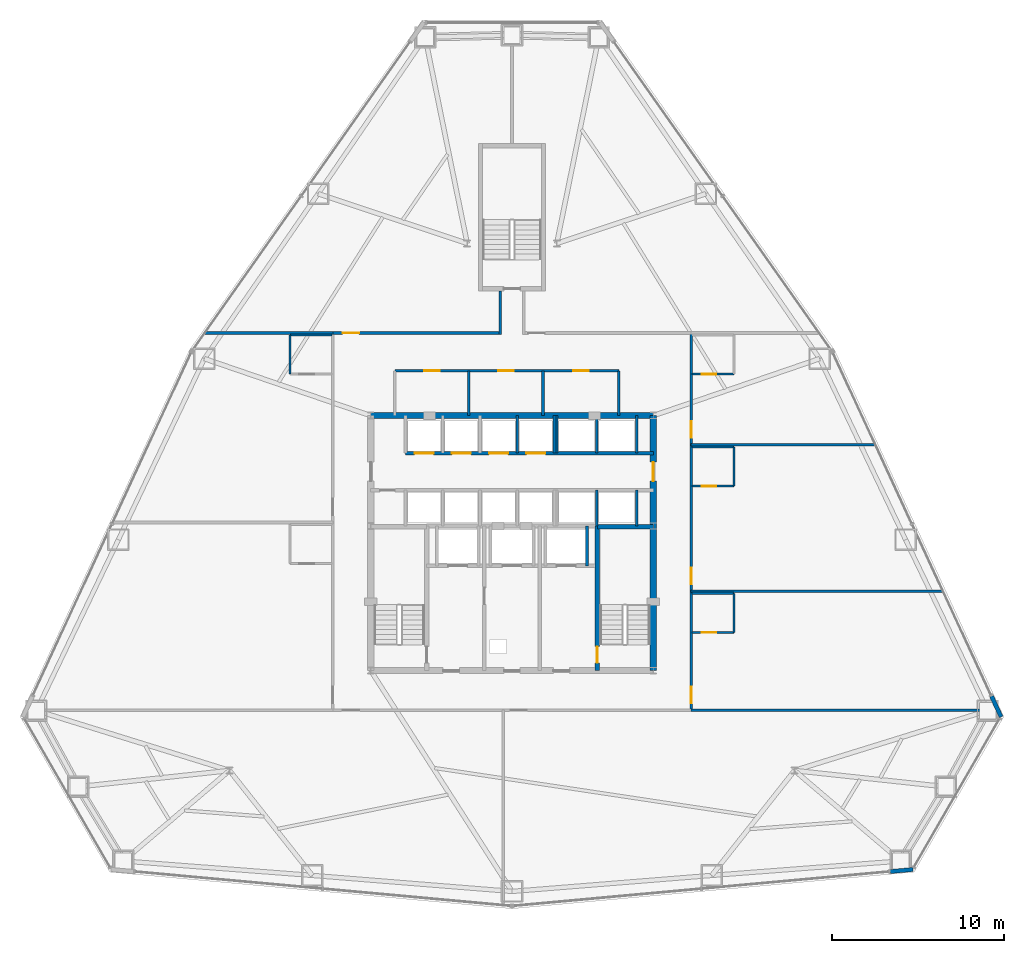
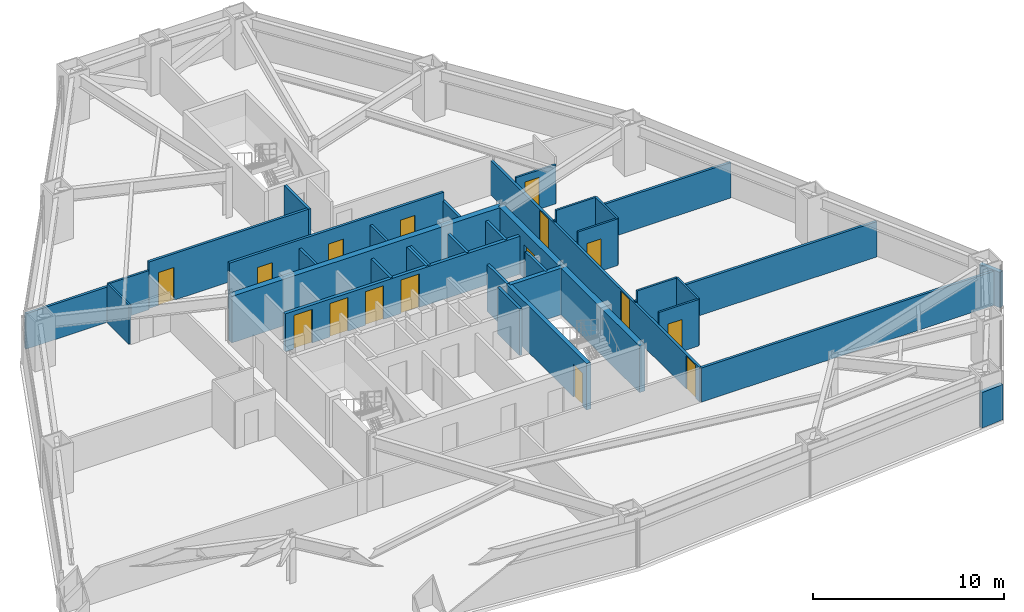
# One storey, part 10 of 12: 35 walls, 16 doors, 16 openings.
"""IFC4 building model written with IfcOpenShell, lengths in metres."""

import ifcopenshell
import ifcopenshell.guid

model = None  # the IFC model being written
_history = None  # IfcOwnerHistory: only IFC2X3 demands one
_inside = {}  # id of a spatial element -> (the spatial element, [elements in it])
_under = {}  # id of a project, library or spatial element -> (it, [spatial elements below it])
_declared = {}  # id of a project -> (the project, [libraries it declares])
_typed = {}  # id of a type object -> (the type object, [elements of that type])
_made_of = {}  # id of a material, layer set ... -> (it, [elements and type objects made of it])


def new_model(schema):
    """Start an empty IFC model of exactly this schema.

    Asked for "IFC4X3", IfcOpenShell would pick the latest addendum, in which some entities
    have other attributes; the version numbers below select the first issue.
    IFC2X3 requires an IfcOwnerHistory on every rooted entity: one is made here for all.
    """
    global model, _history
    if schema == "IFC4X3":
        model = ifcopenshell.file(schema_version=(4, 3, 0, 0))
    else:
        model = ifcopenshell.file(schema=schema)
    _inside.clear()
    _under.clear()
    _declared.clear()
    _typed.clear()
    _made_of.clear()
    _history = None
    if model.schema == "IFC2X3":
        org = make("IfcOrganization", Name="unknown")
        user = make(
            "IfcPersonAndOrganization",
            ThePerson=make("IfcPerson", FamilyName="unknown"),
            TheOrganization=org,
        )
        app = make(
            "IfcApplication",
            ApplicationDeveloper=org,
            Version="unknown",
            ApplicationFullName="unknown",
            ApplicationIdentifier="unknown",
        )
        _history = make(
            "IfcOwnerHistory",
            OwningUser=user,
            OwningApplication=app,
            ChangeAction="ADDED",
            CreationDate=0,
        )
    return model


def make(cls, **values):
    """One entity of the class cls with the attributes given. An attribute that is None is left unset."""
    return model.create_entity(
        cls, **{name: value for name, value in values.items() if value is not None}
    )


def rooted(cls, **values):
    """An entity with a GlobalId (a new one), such as an element, a storey or a relation."""
    return make(cls, GlobalId=ifcopenshell.guid.new(), OwnerHistory=_history, **values)


def si_unit(unit_type, name, prefix=None):
    """IfcSIUnit, for example si_unit("LENGTHUNIT", "METRE", prefix="MILLI")."""
    return make("IfcSIUnit", UnitType=unit_type, Prefix=prefix, Name=name)


def assignment(units):
    """IfcUnitAssignment: the units of a project."""
    return None if units is None else make("IfcUnitAssignment", Units=units)


def point(xyz):
    """IfcCartesianPoint."""
    return None if xyz is None else make("IfcCartesianPoint", Coordinates=xyz)


def direction(xyz):
    """IfcDirection."""
    return None if xyz is None else make("IfcDirection", DirectionRatios=xyz)


def frame(location, z_axis=None, x_axis=None):
    """IfcAxis2Placement3D, a coordinate frame: its origin and axes. An axis left out is left unset."""
    return make(
        "IfcAxis2Placement3D",
        Location=point(location),
        Axis=direction(z_axis),
        RefDirection=direction(x_axis),
    )


def frame_2d(location, x_axis=None):
    """IfcAxis2Placement2D, a coordinate frame in the plane: its origin and x axis."""
    return make(
        "IfcAxis2Placement2D", Location=point(location), RefDirection=direction(x_axis)
    )


def origin():
    """The frame at (0, 0, 0) with its axes left unset."""
    return frame((0.0, 0.0, 0.0))


def place(relative_to, where):
    """IfcLocalPlacement: puts the frame where relative to a parent placement (None: the world)."""
    return make(
        "IfcLocalPlacement", PlacementRelTo=relative_to, RelativePlacement=where
    )


def context(
    kind, dimensions, precision=None, world=None, true_north=None, identifier=None
):
    """IfcGeometricRepresentationContext, for example the 3D "Model" context."""
    return make(
        "IfcGeometricRepresentationContext",
        ContextIdentifier=identifier,
        ContextType=kind,
        CoordinateSpaceDimension=dimensions,
        Precision=precision,
        WorldCoordinateSystem=world,
        TrueNorth=true_north,
    )


def subcontext(parent, identifier, kind, view, scale=None):
    """IfcGeometricRepresentationSubContext, for example "Body" below "Model"."""
    return make(
        "IfcGeometricRepresentationSubContext",
        ContextIdentifier=identifier,
        ContextType=kind,
        ParentContext=parent,
        TargetScale=scale,
        TargetView=view,
    )


def project(units=None, contexts=None):
    """IfcProject with its units and contexts."""
    return rooted(
        "IfcProject",
        Name="project",
        RepresentationContexts=contexts,
        UnitsInContext=assignment(units),
    )


def spatial(cls, under=None, at=None, **own):
    """A site, building, storey or space (cls), placed at a placement, below another one or the project."""
    s = rooted(cls, ObjectPlacement=at, **own)
    if under is not None:
        _under.setdefault(under.id(), (under, []))[1].append(s)
    return s


def profile(cls, at=None, kind="AREA", **sizes):
    """A parametric profile (cls). Its sizes go by their IFC names, for example OverallWidth=200.0."""
    return make(cls, ProfileType=kind, Position=at, **sizes)


def rectangle(**sizes):
    """IfcRectangleProfileDef."""
    return profile("IfcRectangleProfileDef", **sizes)


def extrude(swept, where, along, depth):
    """IfcExtrudedAreaSolid: the profile swept, set in the frame where, extruded along a direction by depth."""
    return make(
        "IfcExtrudedAreaSolid",
        SweptArea=swept,
        Position=where,
        ExtrudedDirection=direction(along),
        Depth=depth,
    )


def shape(context_of_items, identifier, shape_type, items):
    """IfcShapeRepresentation: the items that make up one representation, for example the "Body"."""
    return make(
        "IfcShapeRepresentation",
        ContextOfItems=context_of_items,
        RepresentationIdentifier=identifier,
        RepresentationType=shape_type,
        Items=items,
    )


def material(Name=None, Category=None):
    """IfcMaterial."""
    return make("IfcMaterial", Name=Name, Category=Category)


def layer(
    of_material, thickness, ventilated=None, Name=None, Category=None, Priority=None
):
    """IfcMaterialLayer: one layer of a wall or slab, of a material (None: an air gap)."""
    return make(
        "IfcMaterialLayer",
        Material=of_material,
        LayerThickness=thickness,
        IsVentilated=ventilated,
        Name=Name,
        Category=Category,
        Priority=Priority,
    )


def layer_set(layers, Name=None):
    """IfcMaterialLayerSet."""
    return make("IfcMaterialLayerSet", MaterialLayers=layers, LayerSetName=Name)


def made_of(thing, what):
    """Note that an element or type object is made of a material, layer set ...; save() writes the relation."""
    if what is not None:
        _made_of.setdefault(what.id(), (what, []))[1].append(thing)
    return thing


def type_object(cls, material=None, **own):
    """A type object (cls), such as IfcWallType, which elements share."""
    return made_of(rooted(cls, **own), material)


def element(
    cls,
    number,
    at=None,
    inside=None,
    cuts=None,
    type_object=None,
    material=None,
    context=None,
    identifier="Body",
    shape_type=None,
    held_by="IfcProductDefinitionShape",
    body=None,
    shapes=None,
    **own,
):
    """One element of the class cls, such as IfcWall. Its Tag is "e" and its number.

    at: its placement. inside: the storey or other place that contains it. cuts: it is an
    opening in that element (IfcRelVoidsElement). A single representation is given by context,
    identifier, shape_type and body (its items); several are given by shapes. held_by: the class
    of the entity that holds the representations. save() writes the other relations.
    """
    e = rooted(cls, Tag="e%d" % number, ObjectPlacement=at, **own)
    if body is not None:
        shapes = [shape(context, identifier, shape_type, body)]
    if shapes is not None:
        e.Representation = make(held_by, Representations=shapes)
    if inside is not None:
        _inside.setdefault(inside.id(), (inside, []))[1].append(e)
    if cuts is not None:
        rooted(
            "IfcRelVoidsElement", RelatingBuildingElement=cuts, RelatedOpeningElement=e
        )
    if type_object is not None:
        _typed.setdefault(type_object.id(), (type_object, []))[1].append(e)
    return made_of(e, material)


def fill(opening, filler):
    """IfcRelFillsElement: the door or window that sits in an opening."""
    return rooted(
        "IfcRelFillsElement",
        RelatingOpeningElement=opening,
        RelatedBuildingElement=filler,
    )


def aggregate(whole, parts):
    """IfcRelAggregates: a whole, such as a stair, and the parts it consists of."""
    return rooted("IfcRelAggregates", RelatingObject=whole, RelatedObjects=parts)


def save(model, path):
    """Write the relations noted so far, then the file.

    IfcRelAggregates (storeys below a building ...), IfcRelContainedInSpatialStructure (elements
    in a storey), IfcRelDefinesByType, IfcRelAssociatesMaterial and IfcRelDeclares: one each for
    every whole, place, type object, material and project.
    """
    for whole, parts in _under.values():
        aggregate(whole, parts)
    for where, things in _inside.values():
        rooted(
            "IfcRelContainedInSpatialStructure",
            RelatedElements=things,
            RelatingStructure=where,
        )
    for kind, things in _typed.values():
        rooted("IfcRelDefinesByType", RelatedObjects=things, RelatingType=kind)
    for what, things in _made_of.values():
        rooted("IfcRelAssociatesMaterial", RelatedObjects=things, RelatingMaterial=what)
    for by, libraries in _declared.values():
        rooted("IfcRelDeclares", RelatingContext=by, RelatedDefinitions=libraries)
    model.write(path)


model = new_model("IFC4")

# Units and contexts
model_context = context("Model", 3, precision=1e-05, world=origin(), true_north=direction((0.0, 1.0)))
body_context = subcontext(model_context, "Body", "Model", "MODEL_VIEW")
ifc_project = project(units=[si_unit("LENGTHUNIT", "METRE"), si_unit("AREAUNIT", "SQUARE_METRE"), si_unit("VOLUMEUNIT", "CUBIC_METRE"), si_unit("PLANEANGLEUNIT", "RADIAN"), si_unit("MASSUNIT", "GRAM", prefix="KILO")], contexts=[model_context])

# Site, building, storey
site_placement = place(None, origin())
site = spatial("IfcSite", under=ifc_project, at=site_placement, CompositionType="ELEMENT")
building_placement = place(site_placement, origin())
building = spatial("IfcBuilding", under=site, at=building_placement, Name="Varakhsha Concourse Tower", CompositionType="ELEMENT")
storey_placement = place(building_placement, frame((0.0, 0.0, 43.199951171875)))
storey = spatial("IfcBuildingStorey", under=building, at=storey_placement, Name="L11", CompositionType="ELEMENT", Elevation=43.199951171875)

# Wall
ifc_material_1 = material(Name="Concrete fc 65 MPa", Category="concrete")
ifc_layer_1 = layer(ifc_material_1, 0.35009765625, Name="WL-CORE-350")
ifc_layer_set_1 = layer_set([ifc_layer_1], Name="Concrete fc 65 MPa")
wall_type_1 = type_object("IfcWallType", Name="WL-CORE-350", PredefinedType="SHEAR", material=ifc_layer_set_1)
wall_1_placement = place(storey_placement, frame((31.800048828125, 31.199951171875, 0.0), z_axis=(0.0, 0.0, 1.0), x_axis=(1.0, 0.0, 0.0)))
element("IfcWall", 1, at=wall_1_placement, inside=storey, type_object=wall_type_1, Name="L11 Wall CWALL-N-L11", PredefinedType="SHEAR", context=body_context, shape_type="SweptSolid", body=[
    extrude(rectangle(XDim=16.39990234375, YDim=0.35009765625, at=frame_2d((8.199951171875, 0.0))), origin(), (0.0, 0.0, 1.0), 2.97998046875),
])

# Wall, opening, door
wall_2_placement = place(storey_placement, frame((48.199951171875, 16.39990234375, 0.0), z_axis=(0.0, 0.0, 1.0), x_axis=(0.0, 1.0, 0.0)))
wall_2 = element("IfcWall", 2, at=wall_2_placement, inside=storey, type_object=wall_type_1, Name="L11 Wall CWALL-E-L11", PredefinedType="SHEAR", context=body_context, shape_type="SweptSolid", body=[
    extrude(rectangle(XDim=14.800048828125, YDim=0.35009765625, at=frame_2d((7.39990234375, 0.0))), origin(), (0.0, 0.0, 1.0), 2.97998046875),
])
opening_1_placement = place(wall_2_placement, frame((11.0, 0.0, 0.0)))
opening_1 = element("IfcOpeningElement", 3, at=opening_1_placement, cuts=wall_2, Name="Opening DL-01", PredefinedType="OPENING", context=body_context, shape_type="SweptSolid", body=[
    extrude(rectangle(XDim=1.10009765625, YDim=2.14990234375, at=frame_2d((0.550048828125, 1.074951171875))), frame((0.0, 0.18505859375, 0.0), z_axis=(0.0, -1.0, 0.0), x_axis=(1.0, 0.0, 0.0)), (0.0, 0.0, 1.0), 0.3701171875),
])
ifc_material_2 = material(Name="Anodised Bronze Architectural Aluminium AA 6063-T6", Category="aluminium")
door_type_1 = type_object("IfcDoorType", Name="DR-LOB-1100", OperationType="NOTDEFINED", PredefinedType="DOOR", material=ifc_material_2)
door_1_placement = place(opening_1_placement, origin())
door_1 = element("IfcDoor", 4, at=door_1_placement, inside=storey, type_object=door_type_1, Name="L11 Lift Lobby East Concourse Door", OperationType="SINGLE_SWING_RIGHT", OverallHeight=2.14990234375, OverallWidth=1.10009765625, PredefinedType="DOOR", context=body_context, shape_type="SweptSolid", body=[
    extrude(rectangle(XDim=1.10009765625, YDim=2.14990234375, at=frame_2d((0.550048828125, 1.074951171875))), frame((0.0, 0.02490234375, 0.0), z_axis=(0.0, -1.0, 0.0), x_axis=(1.0, 0.0, 0.0)), (0.0, 0.0, 1.0), 0.050048828125),
])
fill(opening_1, door_1)

# Walls
ifc_material_3 = material(Name="Concrete fc 45 MPa", Category="concrete")
ifc_layer_2 = layer(ifc_material_3, 0.239990234375, Name="WL-EXT-CRN-240")
ifc_layer_set_2 = layer_set([ifc_layer_2], Name="Concrete fc 45 MPa")
wall_type_2 = type_object("IfcWallType", Name="WL-EXT-CRN-240", PredefinedType="SHEAR", material=ifc_layer_set_2)
for number, where, z_axis, x_axis, name in (
    (5, (61.955078125, 4.73388671875, 0.0), (0.0, 0.0, 1.0), (0.995872137329, 0.090767208245, 0.0), "L11 Wind-Corner Shoulder Wall F6"),
    (6, (68.39404296875, 13.710693359375, 0.0), (0.0, 0.0, 1.0), (-0.419348851808, 0.907825170662, 0.0), "L11 Wind-Corner Shoulder Wall F8"),
):
    element("IfcWall", number, at=place(storey_placement, frame(where, z_axis=z_axis, x_axis=x_axis)), inside=storey, type_object=wall_type_2, Name=name, PredefinedType="SHEAR", context=body_context, shape_type="SweptSolid", body=[
        extrude(rectangle(XDim=1.33154296875, YDim=0.239990234375, at=frame_2d((0.665771484375, 0.0))), origin(), (0.0, 0.0, 1.0), 2.262939453125),
    ])
ifc_material_4 = material(Name="Acoustic Gypsum Board Partition Assembly", Category="gypsum")
ifc_layer_3 = layer(ifc_material_4, 0.1201171875, Name="WL-PART-120")
ifc_layer_set_3 = layer_set([ifc_layer_3], Name="Acoustic Gypsum Board Partition Assembly")
wall_type_3 = type_object("IfcWallType", Name="WL-PART-120", PredefinedType="PARTITIONING", material=ifc_layer_set_3)
wall_3_placement = place(storey_placement, frame((27.110107421875, 33.610107421875, 0.0), z_axis=(0.0, 0.0, 1.0), x_axis=(0.0, 1.0, 0.0)))
element("IfcWall", 7, at=wall_3_placement, inside=storey, type_object=wall_type_3, Name="L11 Wall ENSW-W-L11-H04", PredefinedType="PARTITIONING", context=body_context, shape_type="SweptSolid", body=[
    extrude(rectangle(XDim=2.27978515625, YDim=0.1201171875, at=frame_2d((1.139892578125, 0.0))), origin(), (0.0, 0.0, 1.0), 2.512939453125),
])
wall_4_placement = place(storey_placement, frame((27.110107421875, 35.889892578125, 0.0), z_axis=(0.0, 0.0, 1.0), x_axis=(1.0, 0.0, 0.0)))
element("IfcWall", 8, at=wall_4_placement, inside=storey, type_object=wall_type_3, Name="L11 Wall ENSW-N-L11-H04", PredefinedType="PARTITIONING", context=body_context, shape_type="SweptSolid", body=[
    extrude(rectangle(XDim=2.429931640625, YDim=0.1201171875, at=frame_2d((1.21484375, 0.0))), origin(), (0.0, 0.0, 1.0), 2.512939453125),
])
wall_5_placement = place(storey_placement, frame((52.889892578125, 18.610107421875, 0.0), z_axis=(0.0, 0.0, 1.0), x_axis=(0.0, 1.0, 0.0)))
element("IfcWall", 9, at=wall_5_placement, inside=storey, type_object=wall_type_3, Name="L11 Wall ENSW-E-L11-H05", PredefinedType="PARTITIONING", context=body_context, shape_type="SweptSolid", body=[
    extrude(rectangle(XDim=2.27978515625, YDim=0.1201171875, at=frame_2d((1.139892578125, 0.0))), origin(), (0.0, 0.0, 1.0), 2.97998046875),
])

# Wall, opening, door
wall_6_placement = place(storey_placement, frame((50.4599609375, 18.610107421875, 0.0), z_axis=(0.0, 0.0, 1.0), x_axis=(1.0, 0.0, 0.0)))
wall_6 = element("IfcWall", 10, at=wall_6_placement, inside=storey, type_object=wall_type_3, Name="L11 Wall ENSW-S-L11-H05", PredefinedType="PARTITIONING", context=body_context, shape_type="SweptSolid", body=[
    extrude(rectangle(XDim=2.429931640625, YDim=0.1201171875, at=frame_2d((1.21484375, 0.0))), origin(), (0.0, 0.0, 1.0), 2.97998046875),
])
opening_2_placement = place(wall_6_placement, frame((0.550048828125, 0.0, 0.0)))
opening_2 = element("IfcOpeningElement", 11, at=opening_2_placement, cuts=wall_6, Name="Opening DI-01", PredefinedType="OPENING", context=body_context, shape_type="SweptSolid", body=[
    extrude(rectangle(XDim=0.85009765625, YDim=2.050048828125, at=frame_2d((0.425048828125, 1.02490234375))), frame((0.0, 0.070068359375, 0.0), z_axis=(0.0, -1.0, 0.0), x_axis=(1.0, 0.0, 0.0)), (0.0, 0.0, 1.0), 0.14013671875),
])
ifc_material_5 = material(Name="Architectural Walnut Acoustic Timber Door", Category="wood")
door_type_2 = type_object("IfcDoorType", Name="DR-INT-850", OperationType="NOTDEFINED", PredefinedType="DOOR", material=ifc_material_5)
door_2_placement = place(opening_2_placement, origin())
door_2 = element("IfcDoor", 12, at=door_2_placement, inside=storey, type_object=door_type_2, Name="L11 En-suite Bathroom Door L11-H05", OperationType="SINGLE_SWING_RIGHT", OverallHeight=2.050048828125, OverallWidth=0.85009765625, PredefinedType="DOOR", context=body_context, shape_type="SweptSolid", body=[
    extrude(rectangle(XDim=0.85009765625, YDim=2.050048828125, at=frame_2d((0.425048828125, 1.02490234375))), frame((0.0, 0.02490234375, 0.0), z_axis=(0.0, -1.0, 0.0), x_axis=(1.0, 0.0, 0.0)), (0.0, 0.0, 1.0), 0.050048828125),
])
fill(opening_2, door_2)

# Walls
wall_7_placement = place(storey_placement, frame((50.4599609375, 20.889892578125, 0.0), z_axis=(0.0, 0.0, 1.0), x_axis=(1.0, 0.0, 0.0)))
element("IfcWall", 13, at=wall_7_placement, inside=storey, type_object=wall_type_3, Name="L11 Wall ENSW-N-L11-H05", PredefinedType="PARTITIONING", context=body_context, shape_type="SweptSolid", body=[
    extrude(rectangle(XDim=2.429931640625, YDim=0.1201171875, at=frame_2d((1.21484375, 0.0))), origin(), (0.0, 0.0, 1.0), 2.97998046875),
])
wall_8_placement = place(storey_placement, frame((52.889892578125, 27.110107421875, 0.0), z_axis=(0.0, 0.0, 1.0), x_axis=(0.0, 1.0, 0.0)))
element("IfcWall", 14, at=wall_8_placement, inside=storey, type_object=wall_type_3, Name="L11 Wall ENSW-E-L11-H06", PredefinedType="PARTITIONING", context=body_context, shape_type="SweptSolid", body=[
    extrude(rectangle(XDim=2.27978515625, YDim=0.1201171875, at=frame_2d((1.139892578125, 0.0))), origin(), (0.0, 0.0, 1.0), 2.97998046875),
])

# Wall, opening, door
wall_9_placement = place(storey_placement, frame((50.4599609375, 27.110107421875, 0.0), z_axis=(0.0, 0.0, 1.0), x_axis=(1.0, 0.0, 0.0)))
wall_9 = element("IfcWall", 15, at=wall_9_placement, inside=storey, type_object=wall_type_3, Name="L11 Wall ENSW-S-L11-H06", PredefinedType="PARTITIONING", context=body_context, shape_type="SweptSolid", body=[
    extrude(rectangle(XDim=2.429931640625, YDim=0.1201171875, at=frame_2d((1.21484375, 0.0))), origin(), (0.0, 0.0, 1.0), 2.97998046875),
])
opening_3_placement = place(wall_9_placement, frame((0.550048828125, 0.0, 0.0)))
opening_3 = element("IfcOpeningElement", 16, at=opening_3_placement, cuts=wall_9, Name="Opening DI-01", PredefinedType="OPENING", context=body_context, shape_type="SweptSolid", body=[
    extrude(rectangle(XDim=0.85009765625, YDim=2.050048828125, at=frame_2d((0.425048828125, 1.02490234375))), frame((0.0, 0.070068359375, 0.0), z_axis=(0.0, -1.0, 0.0), x_axis=(1.0, 0.0, 0.0)), (0.0, 0.0, 1.0), 0.14013671875),
])
door_3_placement = place(opening_3_placement, origin())
door_3 = element("IfcDoor", 17, at=door_3_placement, inside=storey, type_object=door_type_2, Name="L11 En-suite Bathroom Door L11-H06", OperationType="SINGLE_SWING_RIGHT", OverallHeight=2.050048828125, OverallWidth=0.85009765625, PredefinedType="DOOR", context=body_context, shape_type="SweptSolid", body=[
    extrude(rectangle(XDim=0.85009765625, YDim=2.050048828125, at=frame_2d((0.425048828125, 1.02490234375))), frame((0.0, 0.02490234375, 0.0), z_axis=(0.0, -1.0, 0.0), x_axis=(1.0, 0.0, 0.0)), (0.0, 0.0, 1.0), 0.050048828125),
])
fill(opening_3, door_3)

# Wall
wall_10_placement = place(storey_placement, frame((50.4599609375, 29.389892578125, 0.0), z_axis=(0.0, 0.0, 1.0), x_axis=(1.0, 0.0, 0.0)))
element("IfcWall", 18, at=wall_10_placement, inside=storey, type_object=wall_type_3, Name="L11 Wall ENSW-N-L11-H06", PredefinedType="PARTITIONING", context=body_context, shape_type="SweptSolid", body=[
    extrude(rectangle(XDim=2.429931640625, YDim=0.1201171875, at=frame_2d((1.21484375, 0.0))), origin(), (0.0, 0.0, 1.0), 2.97998046875),
])

# Wall, opening, door
wall_11_placement = place(storey_placement, frame((50.4599609375, 33.610107421875, 0.0), z_axis=(0.0, 0.0, 1.0), x_axis=(1.0, 0.0, 0.0)))
wall_11 = element("IfcWall", 19, at=wall_11_placement, inside=storey, type_object=wall_type_3, Name="L11 Wall ENSW-S-L11-H07", PredefinedType="PARTITIONING", context=body_context, shape_type="SweptSolid", body=[
    extrude(rectangle(XDim=2.429931640625, YDim=0.1201171875, at=frame_2d((1.21484375, 0.0))), origin(), (0.0, 0.0, 1.0), 2.512939453125),
])
opening_4_placement = place(wall_11_placement, frame((0.550048828125, 0.0, 0.0)))
opening_4 = element("IfcOpeningElement", 20, at=opening_4_placement, cuts=wall_11, Name="Opening DI-01", PredefinedType="OPENING", context=body_context, shape_type="SweptSolid", body=[
    extrude(rectangle(XDim=0.85009765625, YDim=2.050048828125, at=frame_2d((0.425048828125, 1.02490234375))), frame((0.0, 0.070068359375, 0.0), z_axis=(0.0, -1.0, 0.0), x_axis=(1.0, 0.0, 0.0)), (0.0, 0.0, 1.0), 0.14013671875),
])
door_4_placement = place(opening_4_placement, origin())
door_4 = element("IfcDoor", 21, at=door_4_placement, inside=storey, type_object=door_type_2, Name="L11 En-suite Bathroom Door L11-H07", OperationType="SINGLE_SWING_RIGHT", OverallHeight=2.050048828125, OverallWidth=0.85009765625, PredefinedType="DOOR", context=body_context, shape_type="SweptSolid", body=[
    extrude(rectangle(XDim=0.85009765625, YDim=2.050048828125, at=frame_2d((0.425048828125, 1.02490234375))), frame((0.0, 0.02490234375, 0.0), z_axis=(0.0, -1.0, 0.0), x_axis=(1.0, 0.0, 0.0)), (0.0, 0.0, 1.0), 0.050048828125),
])
fill(opening_4, door_4)

# Wall, openings, doors
ifc_material_6 = material(Name="Fire-Rated Type X Gypsum Partition Assembly", Category="gypsum")
ifc_layer_4 = layer(ifc_material_6, 0.14990234375, Name="WL-PART-150")
ifc_layer_set_4 = layer_set([ifc_layer_4], Name="Fire-Rated Type X Gypsum Partition Assembly")
wall_type_4 = type_object("IfcWallType", Name="WL-PART-150", PredefinedType="PARTITIONING", material=ifc_layer_set_4)
wall_12_placement = place(storey_placement, frame((33.199951171875, 33.800048828125, 0.0), z_axis=(0.0, 0.0, 1.0), x_axis=(1.0, 0.0, 0.0)))
wall_12 = element("IfcWall", 22, at=wall_12_placement, inside=storey, type_object=wall_type_4, Name="L11 Wall NBOH-N-L11", PredefinedType="PARTITIONING", context=body_context, shape_type="SweptSolid", body=[
    extrude(rectangle(XDim=13.0, YDim=0.14990234375, at=frame_2d((6.5, 0.0))), origin(), (0.0, 0.0, 1.0), 2.97998046875),
])
opening_5_placement = place(wall_12_placement, frame((1.699951171875, 0.0, 0.0)))
opening_5 = element("IfcOpeningElement", 23, at=opening_5_placement, cuts=wall_12, Name="Opening DF-06", PredefinedType="OPENING", context=body_context, shape_type="SweptSolid", body=[
    extrude(rectangle(XDim=0.89990234375, YDim=2.10009765625, at=frame_2d((0.449951171875, 1.050048828125))), frame((0.0, 0.0849609375, 0.0), z_axis=(0.0, -1.0, 0.0), x_axis=(1.0, 0.0, 0.0)), (0.0, 0.0, 1.0), 0.169921875),
])
opening_6_placement = place(wall_12_placement, frame((6.0, 0.0, 0.0)))
opening_6 = element("IfcOpeningElement", 24, at=opening_6_placement, cuts=wall_12, Name="Opening DF-06", PredefinedType="OPENING", context=body_context, shape_type="SweptSolid", body=[
    extrude(rectangle(XDim=0.89990234375, YDim=2.10009765625, at=frame_2d((0.449951171875, 1.050048828125))), frame((0.0, 0.0849609375, 0.0), z_axis=(0.0, -1.0, 0.0), x_axis=(1.0, 0.0, 0.0)), (0.0, 0.0, 1.0), 0.169921875),
])
opening_7_placement = place(wall_12_placement, frame((10.35009765625, 0.0, 0.0)))
opening_7 = element("IfcOpeningElement", 25, at=opening_7_placement, cuts=wall_12, Name="Opening DF-06", PredefinedType="OPENING", context=body_context, shape_type="SweptSolid", body=[
    extrude(rectangle(XDim=0.89990234375, YDim=2.10009765625, at=frame_2d((0.449951171875, 1.050048828125))), frame((0.0, 0.0849609375, 0.0), z_axis=(0.0, -1.0, 0.0), x_axis=(1.0, 0.0, 0.0)), (0.0, 0.0, 1.0), 0.169921875),
])
ifc_material_7 = material(Name="Hollow Galvanised Steel Fire Door Assembly", Category="steel")
door_type_3 = type_object("IfcDoorType", Name="DR-FD60-900", OperationType="NOTDEFINED", PredefinedType="DOOR", material=ifc_material_7)
door_5_placement = place(opening_5_placement, origin())
door_5 = element("IfcDoor", 26, at=door_5_placement, inside=storey, type_object=door_type_3, Name="L11 Housekeeping and Linen Room Door", OperationType="SINGLE_SWING_LEFT", OverallHeight=2.10009765625, OverallWidth=0.89990234375, PredefinedType="DOOR", context=body_context, shape_type="SweptSolid", body=[
    extrude(rectangle(XDim=0.89990234375, YDim=2.10009765625, at=frame_2d((0.449951171875, 1.050048828125))), frame((0.0, 0.02490234375, 0.0), z_axis=(0.0, -1.0, 0.0), x_axis=(1.0, 0.0, 0.0)), (0.0, 0.0, 1.0), 0.050048828125),
])
fill(opening_5, door_5)
door_6_placement = place(opening_6_placement, origin())
door_6 = element("IfcDoor", 27, at=door_6_placement, inside=storey, type_object=door_type_3, Name="L11 Accessible WC Door", OperationType="SINGLE_SWING_RIGHT", OverallHeight=2.10009765625, OverallWidth=0.89990234375, PredefinedType="DOOR", context=body_context, shape_type="SweptSolid", body=[
    extrude(rectangle(XDim=0.89990234375, YDim=2.10009765625, at=frame_2d((0.449951171875, 1.050048828125))), frame((0.0, 0.02490234375, 0.0), z_axis=(0.0, -1.0, 0.0), x_axis=(1.0, 0.0, 0.0)), (0.0, 0.0, 1.0), 0.050048828125),
])
fill(opening_6, door_6)
door_7_placement = place(opening_7_placement, origin())
door_7 = element("IfcDoor", 28, at=door_7_placement, inside=storey, type_object=door_type_3, Name="L11 Staff Restroom WC Door", OperationType="SINGLE_SWING_LEFT", OverallHeight=2.10009765625, OverallWidth=0.89990234375, PredefinedType="DOOR", context=body_context, shape_type="SweptSolid", body=[
    extrude(rectangle(XDim=0.89990234375, YDim=2.10009765625, at=frame_2d((0.449951171875, 1.050048828125))), frame((0.0, 0.02490234375, 0.0), z_axis=(0.0, -1.0, 0.0), x_axis=(1.0, 0.0, 0.0)), (0.0, 0.0, 1.0), 0.050048828125),
])
fill(opening_7, door_7)

# Walls
for number, where, z_axis, x_axis, name in (
    (29, (46.199951171875, 31.199951171875, 0.0), (0.0, 0.0, 1.0), (0.0, 1.0, 0.0), "L11 Wall NBOH-E-L11"),
    (30, (37.5, 31.199951171875, 0.0), (0.0, 0.0, 1.0), (0.0, 1.0, 0.0), "L11 Wall NBOH-D1-L11"),
    (31, (41.800048828125, 31.199951171875, 0.0), (0.0, 0.0, 1.0), (0.0, 1.0, 0.0), "L11 Wall NBOH-D2-L11"),
):
    element("IfcWall", number, at=place(storey_placement, frame(where, z_axis=z_axis, x_axis=x_axis)), inside=storey, type_object=wall_type_4, Name=name, PredefinedType="PARTITIONING", context=body_context, shape_type="SweptSolid", body=[
        extrude(rectangle(XDim=2.60009765625, YDim=0.14990234375, at=frame_2d((1.300048828125, 0.0))), origin(), (0.0, 0.0, 1.0), 2.43115234375),
    ])

# Wall, opening, door
wall_13_placement = place(storey_placement, frame((29.60009765625, 36.0, 0.0), z_axis=(0.0, 0.0, 1.0), x_axis=(1.0, 0.0, 0.0)))
wall_13 = element("IfcWall", 32, at=wall_13_placement, inside=storey, type_object=wall_type_4, Name="L11 Wall CRW-N-L11", PredefinedType="PARTITIONING", context=body_context, shape_type="SweptSolid", body=[
    extrude(rectangle(XDim=9.64990234375, YDim=0.14990234375, at=frame_2d((4.824951171875, 0.0))), origin(), (0.0, 0.0, 1.0), 2.97998046875),
])
opening_8_placement = place(wall_13_placement, frame((0.570068359375, 0.0, 0.0)))
opening_8 = element("IfcOpeningElement", 33, at=opening_8_placement, cuts=wall_13, Name="Opening DF-05", PredefinedType="OPENING", context=body_context, shape_type="SweptSolid", body=[
    extrude(rectangle(XDim=0.949951171875, YDim=2.10009765625, at=frame_2d((0.47509765625, 1.050048828125))), frame((0.0, 0.0849609375, 0.0), z_axis=(0.0, -1.0, 0.0), x_axis=(1.0, 0.0, 0.0)), (0.0, 0.0, 1.0), 0.169921875),
])
door_type_4 = type_object("IfcDoorType", Name="DR-FD60-950", OperationType="NOTDEFINED", PredefinedType="DOOR", material=ifc_material_7)
door_8_placement = place(opening_8_placement, origin())
door_8 = element("IfcDoor", 34, at=door_8_placement, inside=storey, type_object=door_type_4, Name="L11 Hotel Executive Salon L11-H08 Door", OperationType="SINGLE_SWING_RIGHT", OverallHeight=2.10009765625, OverallWidth=0.949951171875, PredefinedType="DOOR", context=body_context, shape_type="SweptSolid", body=[
    extrude(rectangle(XDim=0.949951171875, YDim=2.10009765625, at=frame_2d((0.47509765625, 1.050048828125))), frame((0.0, 0.02490234375, 0.0), z_axis=(0.0, -1.0, 0.0), x_axis=(1.0, 0.0, 0.0)), (0.0, 0.0, 1.0), 0.050048828125),
])
fill(opening_8, door_8)

# Wall, openings, doors
wall_14_placement = place(storey_placement, frame((50.39990234375, 14.10009765625, 0.0), z_axis=(0.0, 0.0, 1.0), x_axis=(0.0, 1.0, 0.0)))
wall_14 = element("IfcWall", 35, at=wall_14_placement, inside=storey, type_object=wall_type_4, Name="L11 Wall CRW-E-L11", PredefinedType="PARTITIONING", context=body_context, shape_type="SweptSolid", body=[
    extrude(rectangle(XDim=21.89990234375, YDim=0.14990234375, at=frame_2d((10.949951171875, 0.0))), origin(), (0.0, 0.0, 1.0), 2.191162109375),
])
opening_9_placement = place(wall_14_placement, frame((0.419921875, 0.0, 0.0)))
opening_9 = element("IfcOpeningElement", 36, at=opening_9_placement, cuts=wall_14, Name="Opening DF-05", PredefinedType="OPENING", context=body_context, shape_type="SweptSolid", body=[
    extrude(rectangle(XDim=0.949951171875, YDim=2.10009765625, at=frame_2d((0.47509765625, 1.050048828125))), frame((0.0, 0.0849609375, 0.0), z_axis=(0.0, -1.0, 0.0), x_axis=(1.0, 0.0, 0.0)), (0.0, 0.0, 1.0), 0.169921875),
])
opening_10_placement = place(wall_14_placement, frame((7.320068359375, 0.0, 0.0)))
opening_10 = element("IfcOpeningElement", 37, at=opening_10_placement, cuts=wall_14, Name="Opening DF-05", PredefinedType="OPENING", context=body_context, shape_type="SweptSolid", body=[
    extrude(rectangle(XDim=0.949951171875, YDim=2.10009765625, at=frame_2d((0.47509765625, 1.050048828125))), frame((0.0, 0.0849609375, 0.0), z_axis=(0.0, -1.0, 0.0), x_axis=(1.0, 0.0, 0.0)), (0.0, 0.0, 1.0), 0.169921875),
])
opening_11_placement = place(wall_14_placement, frame((15.820068359375, 0.0, 0.0)))
opening_11 = element("IfcOpeningElement", 38, at=opening_11_placement, cuts=wall_14, Name="Opening DF-05", PredefinedType="OPENING", context=body_context, shape_type="SweptSolid", body=[
    extrude(rectangle(XDim=0.949951171875, YDim=2.10009765625, at=frame_2d((0.47509765625, 1.050048828125))), frame((0.0, 0.0849609375, 0.0), z_axis=(0.0, -1.0, 0.0), x_axis=(1.0, 0.0, 0.0)), (0.0, 0.0, 1.0), 0.169921875),
])
door_9_placement = place(opening_9_placement, origin())
door_9 = element("IfcDoor", 39, at=door_9_placement, inside=storey, type_object=door_type_4, Name="L11 Hotel Corner Suite L11-H05 Entry Door", OperationType="SINGLE_SWING_LEFT", OverallHeight=2.10009765625, OverallWidth=0.949951171875, PredefinedType="DOOR", context=body_context, shape_type="SweptSolid", body=[
    extrude(rectangle(XDim=0.949951171875, YDim=2.10009765625, at=frame_2d((0.47509765625, 1.050048828125))), frame((0.0, 0.02490234375, 0.0), z_axis=(0.0, -1.0, 0.0), x_axis=(1.0, 0.0, 0.0)), (0.0, 0.0, 1.0), 0.050048828125),
])
fill(opening_9, door_9)
door_10_placement = place(opening_10_placement, origin())
door_10 = element("IfcDoor", 40, at=door_10_placement, inside=storey, type_object=door_type_4, Name="L11 Hotel Corner Suite L11-H06 Entry Door", OperationType="SINGLE_SWING_RIGHT", OverallHeight=2.10009765625, OverallWidth=0.949951171875, PredefinedType="DOOR", context=body_context, shape_type="SweptSolid", body=[
    extrude(rectangle(XDim=0.949951171875, YDim=2.10009765625, at=frame_2d((0.47509765625, 1.050048828125))), frame((0.0, 0.02490234375, 0.0), z_axis=(0.0, -1.0, 0.0), x_axis=(1.0, 0.0, 0.0)), (0.0, 0.0, 1.0), 0.050048828125),
])
fill(opening_10, door_10)
door_11_placement = place(opening_11_placement, origin())
door_11 = element("IfcDoor", 41, at=door_11_placement, inside=storey, type_object=door_type_4, Name="L11 Hotel Corner Suite L11-H07 Entry Door", OperationType="SINGLE_SWING_LEFT", OverallHeight=2.10009765625, OverallWidth=0.949951171875, PredefinedType="DOOR", context=body_context, shape_type="SweptSolid", body=[
    extrude(rectangle(XDim=0.949951171875, YDim=2.10009765625, at=frame_2d((0.47509765625, 1.050048828125))), frame((0.0, 0.02490234375, 0.0), z_axis=(0.0, -1.0, 0.0), x_axis=(1.0, 0.0, 0.0)), (0.0, 0.0, 1.0), 0.050048828125),
])
fill(opening_11, door_11)

# Walls
wall_15_placement = place(storey_placement, frame((22.165771484375, 36.0, 0.0), z_axis=(0.0, 0.0, 1.0), x_axis=(1.0, 0.0, 0.0)))
element("IfcWall", 42, at=wall_15_placement, inside=storey, type_object=wall_type_4, Name="L11 Wall HDIV-WBN-L11", PredefinedType="PARTITIONING", context=body_context, shape_type="SweptSolid", body=[
    extrude(rectangle(XDim=7.434326171875, YDim=0.14990234375, at=frame_2d((3.71728515625, 0.0))), origin(), (0.0, 0.0, 1.0), 2.26806640625),
])
wall_16_placement = place(storey_placement, frame((50.39990234375, 14.10009765625, 0.0), z_axis=(0.0, 0.0, 1.0), x_axis=(1.0, 0.0, 0.0)))
element("IfcWall", 43, at=wall_16_placement, inside=storey, type_object=wall_type_4, Name="L11 Wall HDIV-EB0-L11", PredefinedType="PARTITIONING", context=body_context, shape_type="SweptSolid", body=[
    extrude(rectangle(XDim=17.808837890625, YDim=0.14990234375, at=frame_2d((8.904296875, 0.0))), origin(), (0.0, 0.0, 1.0), 2.191162109375),
])
wall_17_placement = place(storey_placement, frame((50.39990234375, 21.0, 0.0), z_axis=(0.0, 0.0, 1.0), x_axis=(1.0, 0.0, 0.0)))
element("IfcWall", 44, at=wall_17_placement, inside=storey, type_object=wall_type_4, Name="L11 Wall HDIV-E1-L11", PredefinedType="PARTITIONING", context=body_context, shape_type="SweptSolid", body=[
    extrude(rectangle(XDim=14.622314453125, YDim=0.14990234375, at=frame_2d((7.31103515625, 0.0))), origin(), (0.0, 0.0, 1.0), 2.26806640625),
])
wall_18_placement = place(storey_placement, frame((50.39990234375, 29.5, 0.0), z_axis=(0.0, 0.0, 1.0), x_axis=(1.0, 0.0, 0.0)))
element("IfcWall", 45, at=wall_18_placement, inside=storey, type_object=wall_type_4, Name="L11 Wall HDIV-E2-L11", PredefinedType="PARTITIONING", context=body_context, shape_type="SweptSolid", body=[
    extrude(rectangle(XDim=10.69677734375, YDim=0.14990234375, at=frame_2d((5.348388671875, 0.0))), origin(), (0.0, 0.0, 1.0), 2.26806640625),
])
wall_19_placement = place(storey_placement, frame((39.324951171875, 35.925048828125, 0.0), z_axis=(0.0, 0.0, 1.0), x_axis=(0.0, 1.0, 0.0)))
element("IfcWall", 46, at=wall_19_placement, inside=storey, type_object=wall_type_4, Name="L11 Wall STUB-W-L11", PredefinedType="PARTITIONING", context=body_context, shape_type="SweptSolid", body=[
    extrude(rectangle(XDim=2.52490234375, YDim=0.14990234375, at=frame_2d((1.262451171875, 0.0))), origin(), (0.0, 0.0, 1.0), 2.97998046875),
])
ifc_layer_5 = layer(ifc_material_6, 0.199951171875, Name="WL-SHAFT-220")
ifc_layer_set_5 = layer_set([ifc_layer_5], Name="Fire-Rated Type X Gypsum Partition Assembly")
wall_type_5 = type_object("IfcWallType", Name="WL-SHAFT-220", PredefinedType="SOLIDWALL", material=ifc_layer_set_5)
wall_20_placement = place(storey_placement, frame((44.35009765625, 22.47998046875, 0.0), z_axis=(0.0, 0.0, 1.0), x_axis=(0.0, 1.0, 0.0)))
element("IfcWall", 47, at=wall_20_placement, inside=storey, type_object=wall_type_5, Name="L11 Wall SHW-FFL-2-E-L11", PredefinedType="SOLIDWALL", context=body_context, shape_type="SweptSolid", body=[
    extrude(rectangle(XDim=2.320068359375, YDim=0.159912109375, at=frame_2d((1.16015625, 0.0))), origin(), (0.0, 0.0, 1.0), 2.97998046875),
])

# Wall, openings, doors
wall_21_placement = place(storey_placement, frame((33.820068359375, 29.02001953125, 0.0), z_axis=(0.0, 0.0, 1.0), x_axis=(1.0, 0.0, 0.0)))
wall_21 = element("IfcWall", 48, at=wall_21_placement, inside=storey, type_object=wall_type_5, Name="L11 Wall PLW-N-L11", PredefinedType="SOLIDWALL", context=body_context, shape_type="SweptSolid", body=[
    extrude(rectangle(XDim=14.3798828125, YDim=0.199951171875, at=frame_2d((7.18994140625, 0.0))), origin(), (0.0, 0.0, 1.0), 2.43115234375),
])
opening_12_placement = place(wall_21_placement, frame((0.530029296875, 0.0, 0.0)))
opening_12 = element("IfcOpeningElement", 49, at=opening_12_placement, cuts=wall_21, Name="Opening LD-LF-P01", PredefinedType="OPENING", context=body_context, shape_type="SweptSolid", body=[
    extrude(rectangle(XDim=1.10009765625, YDim=2.14990234375, at=frame_2d((0.550048828125, 1.074951171875))), frame((0.0, 0.10986328125, 0.0), z_axis=(0.0, -1.0, 0.0), x_axis=(1.0, 0.0, 0.0)), (0.0, 0.0, 1.0), 0.219970703125),
])
opening_13_placement = place(wall_21_placement, frame((2.68994140625, 0.0, 0.0)))
opening_13 = element("IfcOpeningElement", 50, at=opening_13_placement, cuts=wall_21, Name="Opening LD-LF-P02", PredefinedType="OPENING", context=body_context, shape_type="SweptSolid", body=[
    extrude(rectangle(XDim=1.10009765625, YDim=2.14990234375, at=frame_2d((0.550048828125, 1.074951171875))), frame((0.0, 0.10986328125, 0.0), z_axis=(0.0, -1.0, 0.0), x_axis=(1.0, 0.0, 0.0)), (0.0, 0.0, 1.0), 0.219970703125),
])
opening_14_placement = place(wall_21_placement, frame((4.85009765625, 0.0, 0.0)))
opening_14 = element("IfcOpeningElement", 51, at=opening_14_placement, cuts=wall_21, Name="Opening LD-LF-P03", PredefinedType="OPENING", context=body_context, shape_type="SweptSolid", body=[
    extrude(rectangle(XDim=1.10009765625, YDim=2.14990234375, at=frame_2d((0.550048828125, 1.074951171875))), frame((0.0, 0.10986328125, 0.0), z_axis=(0.0, -1.0, 0.0), x_axis=(1.0, 0.0, 0.0)), (0.0, 0.0, 1.0), 0.219970703125),
])
opening_15_placement = place(wall_21_placement, frame((7.010009765625, 0.0, 0.0)))
opening_15 = element("IfcOpeningElement", 52, at=opening_15_placement, cuts=wall_21, Name="Opening LD-LF-P04", PredefinedType="OPENING", context=body_context, shape_type="SweptSolid", body=[
    extrude(rectangle(XDim=1.10009765625, YDim=2.14990234375, at=frame_2d((0.550048828125, 1.074951171875))), frame((0.0, 0.10986328125, 0.0), z_axis=(0.0, -1.0, 0.0), x_axis=(1.0, 0.0, 0.0)), (0.0, 0.0, 1.0), 0.219970703125),
])
ifc_material_8 = material(Name="Brushed Austenitic Stainless Steel AISI 316", Category="steel")
door_type_5 = type_object("IfcDoorType", Name="DR-LD-1100", OperationType="DOUBLE_DOOR_SLIDING", PredefinedType="DOOR", material=ifc_material_8)
door_12_placement = place(opening_12_placement, origin())
door_12 = element("IfcDoor", 53, at=door_12_placement, inside=storey, type_object=door_type_5, Name="Lift Landing Door LF-P01 L11", OperationType="DOUBLE_DOOR_SLIDING", OverallHeight=2.14990234375, OverallWidth=1.10009765625, PredefinedType="DOOR", context=body_context, shape_type="SweptSolid", body=[
    extrude(rectangle(XDim=1.10009765625, YDim=2.14990234375, at=frame_2d((0.550048828125, 1.074951171875))), frame((0.0, 0.02490234375, 0.0), z_axis=(0.0, -1.0, 0.0), x_axis=(1.0, 0.0, 0.0)), (0.0, 0.0, 1.0), 0.050048828125),
])
fill(opening_12, door_12)
door_13_placement = place(opening_13_placement, origin())
door_13 = element("IfcDoor", 54, at=door_13_placement, inside=storey, type_object=door_type_5, Name="Lift Landing Door LF-P02 L11", OperationType="DOUBLE_DOOR_SLIDING", OverallHeight=2.14990234375, OverallWidth=1.10009765625, PredefinedType="DOOR", context=body_context, shape_type="SweptSolid", body=[
    extrude(rectangle(XDim=1.10009765625, YDim=2.14990234375, at=frame_2d((0.550048828125, 1.074951171875))), frame((0.0, 0.02490234375, 0.0), z_axis=(0.0, -1.0, 0.0), x_axis=(1.0, 0.0, 0.0)), (0.0, 0.0, 1.0), 0.050048828125),
])
fill(opening_13, door_13)
door_14_placement = place(opening_14_placement, origin())
door_14 = element("IfcDoor", 55, at=door_14_placement, inside=storey, type_object=door_type_5, Name="Lift Landing Door LF-P03 L11", OperationType="DOUBLE_DOOR_SLIDING", OverallHeight=2.14990234375, OverallWidth=1.10009765625, PredefinedType="DOOR", context=body_context, shape_type="SweptSolid", body=[
    extrude(rectangle(XDim=1.10009765625, YDim=2.14990234375, at=frame_2d((0.550048828125, 1.074951171875))), frame((0.0, 0.02490234375, 0.0), z_axis=(0.0, -1.0, 0.0), x_axis=(1.0, 0.0, 0.0)), (0.0, 0.0, 1.0), 0.050048828125),
])
fill(opening_14, door_14)
door_15_placement = place(opening_15_placement, origin())
door_15 = element("IfcDoor", 56, at=door_15_placement, inside=storey, type_object=door_type_5, Name="Lift Landing Door LF-P04 L11", OperationType="DOUBLE_DOOR_SLIDING", OverallHeight=2.14990234375, OverallWidth=1.10009765625, PredefinedType="DOOR", context=body_context, shape_type="SweptSolid", body=[
    extrude(rectangle(XDim=1.10009765625, YDim=2.14990234375, at=frame_2d((0.550048828125, 1.074951171875))), frame((0.0, 0.02490234375, 0.0), z_axis=(0.0, -1.0, 0.0), x_axis=(1.0, 0.0, 0.0)), (0.0, 0.0, 1.0), 0.050048828125),
])
fill(opening_15, door_15)

# Walls
for number, where, z_axis, x_axis, name in (
    (57, (40.300048828125, 29.02001953125, 0.0), (0.0, 0.0, 1.0), (0.0, 1.0, 0.0), "L11 Wall SHW-LF-P03-E-L11"),
    (58, (42.4599609375, 29.02001953125, 0.0), (0.0, 0.0, 1.0), (0.0, 1.0, 0.0), "L11 Wall SHW-LF-P04-E-L11"),
    (59, (42.60009765625, 29.02001953125, 0.0), (0.0, 0.0, 1.0), (0.0, 1.0, 0.0), "L11 Wall SHW-LF-P09-W-L11"),
    (60, (44.919921875, 29.02001953125, 0.0), (0.0, 0.0, 1.0), (0.0, 1.0, 0.0), "L11 Wall SHW-LF-P09-E-L11"),
    (61, (47.239990234375, 29.02001953125, 0.0), (0.0, 0.0, 1.0), (0.0, 1.0, 0.0), "L11 Wall SHW-LF-P10-E-L11"),
):
    element("IfcWall", number, at=place(storey_placement, frame(where, z_axis=z_axis, x_axis=x_axis)), inside=storey, type_object=wall_type_5, Name=name, PredefinedType="SOLIDWALL", context=body_context, shape_type="SweptSolid", body=[
        extrude(rectangle(XDim=2.179931640625, YDim=0.159912109375, at=frame_2d((1.08984375, 0.0))), origin(), (0.0, 0.0, 1.0), 2.43115234375),
    ])
for number, where, z_axis, x_axis, name in (
    (62, (44.919921875, 24.800048828125, 0.0), (0.0, 0.0, 1.0), (0.0, 1.0, 0.0), "L11 Wall SHW-LF-P11-E-L11"),
    (63, (47.239990234375, 24.800048828125, 0.0), (0.0, 0.0, 1.0), (0.0, 1.0, 0.0), "L11 Wall SHW-LF-P12-E-L11"),
):
    element("IfcWall", number, at=place(storey_placement, frame(where, z_axis=z_axis, x_axis=x_axis)), inside=storey, type_object=wall_type_5, Name=name, PredefinedType="SOLIDWALL", context=body_context, shape_type="SweptSolid", body=[
        extrude(rectangle(XDim=2.079833984375, YDim=0.159912109375, at=frame_2d((1.0400390625, 0.0))), origin(), (0.0, 0.0, 1.0), 2.97998046875),
    ])

# Wall, opening, door
ifc_layer_6 = layer(ifc_material_3, 0.25, Name="WL-STAIR-250")
ifc_layer_set_6 = layer_set([ifc_layer_6], Name="Concrete fc 45 MPa")
wall_type_6 = type_object("IfcWallType", Name="WL-STAIR-250", PredefinedType="SHEAR", material=ifc_layer_set_6)
wall_22_placement = place(storey_placement, frame((44.955078125, 16.39990234375, 0.0), z_axis=(0.0, 0.0, 1.0), x_axis=(0.0, 1.0, 0.0)))
wall_22 = element("IfcWall", 64, at=wall_22_placement, inside=storey, type_object=wall_type_6, Name="L11 Wall SWALL-ST2-W-L11", PredefinedType="SHEAR", context=body_context, shape_type="SweptSolid", body=[
    extrude(rectangle(XDim=8.400146484375, YDim=0.25, at=frame_2d((4.2001953125, 0.0))), origin(), (0.0, 0.0, 1.0), 2.97998046875),
])
opening_16_placement = place(wall_22_placement, frame((0.449951171875, 0.0, 0.0)))
opening_16 = element("IfcOpeningElement", 65, at=opening_16_placement, cuts=wall_22, Name="Opening DF-03", PredefinedType="OPENING", context=body_context, shape_type="SweptSolid", body=[
    extrude(rectangle(XDim=0.949951171875, YDim=2.10009765625, at=frame_2d((0.47509765625, 1.050048828125))), frame((0.0, 0.135009765625, 0.0), z_axis=(0.0, -1.0, 0.0), x_axis=(1.0, 0.0, 0.0)), (0.0, 0.0, 1.0), 0.27001953125),
])
door_type_6 = type_object("IfcDoorType", Name="DR-FD90-950", OperationType="NOTDEFINED", PredefinedType="DOOR", material=ifc_material_7)
door_16_placement = place(opening_16_placement, origin())
door_16 = element("IfcDoor", 66, at=door_16_placement, inside=storey, type_object=door_type_6, Name="L11 Stair ST2 Fire Door", OperationType="SINGLE_SWING_RIGHT", OverallHeight=2.10009765625, OverallWidth=0.949951171875, PredefinedType="DOOR", context=body_context, shape_type="SweptSolid", body=[
    extrude(rectangle(XDim=0.949951171875, YDim=2.10009765625, at=frame_2d((0.47509765625, 1.050048828125))), frame((0.0, 0.02490234375, 0.0), z_axis=(0.0, -1.0, 0.0), x_axis=(1.0, 0.0, 0.0)), (0.0, 0.0, 1.0), 0.050048828125),
])
fill(opening_16, door_16)

# Wall
wall_23_placement = place(storey_placement, frame((44.955078125, 24.7548828125, 0.0), z_axis=(0.0, 0.0, 1.0), x_axis=(1.0, 0.0, 0.0)))
element("IfcWall", 67, at=wall_23_placement, inside=storey, type_object=wall_type_6, Name="L11 Wall SWALL-ST2-N-L11", PredefinedType="SHEAR", context=body_context, shape_type="SweptSolid", body=[
    extrude(rectangle(XDim=3.244873046875, YDim=0.25, at=frame_2d((1.62255859375, 0.0))), origin(), (0.0, 0.0, 1.0), 2.97998046875),
])

save(model, "model.ifc")
